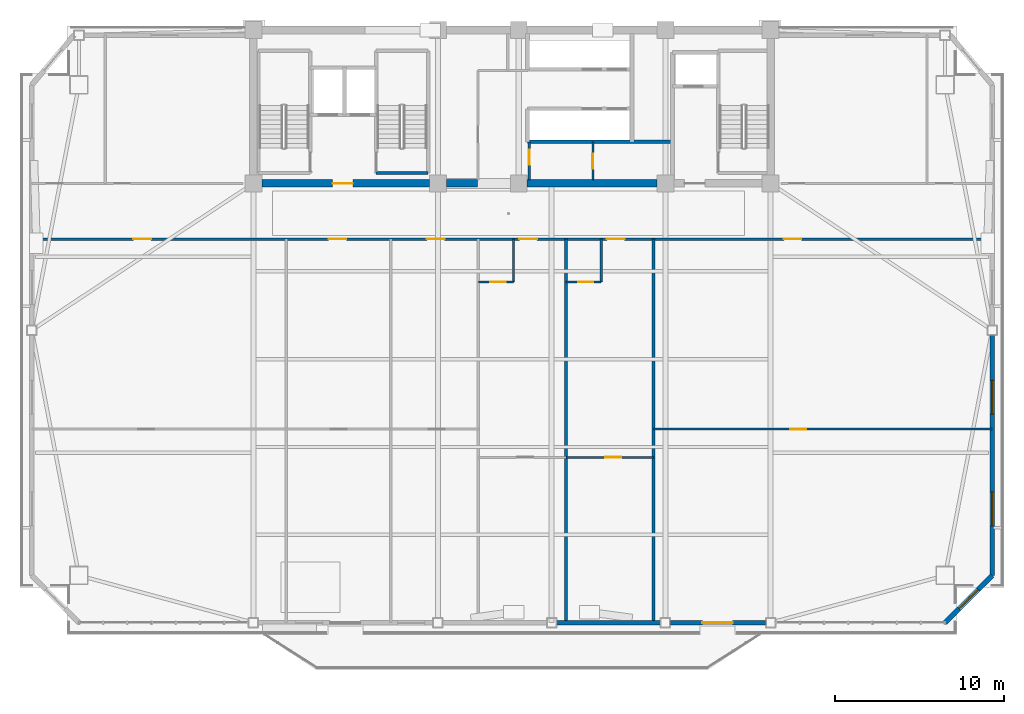
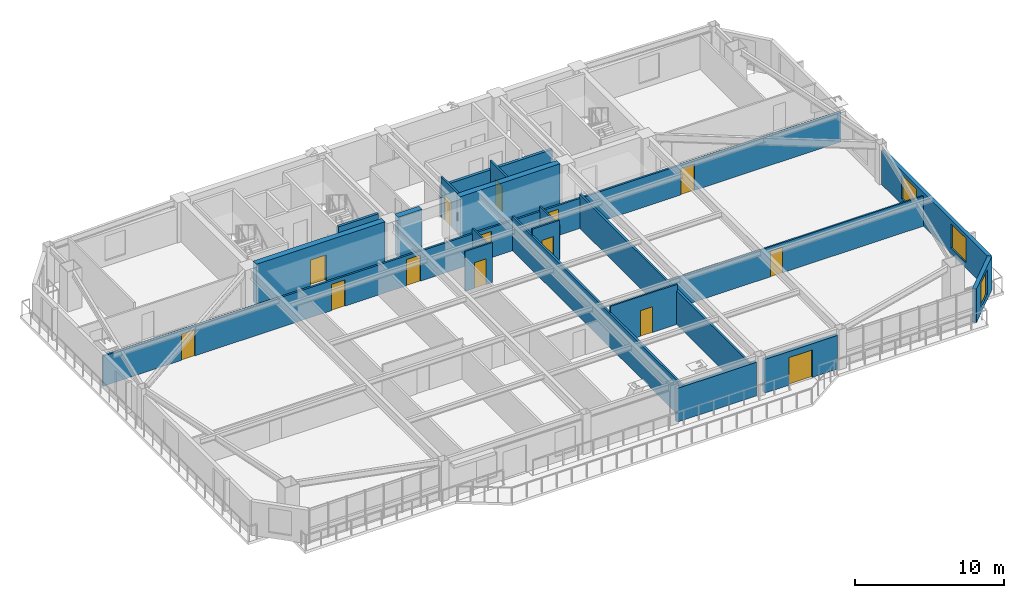
# One storey, part 9 of 17: 20 walls, 14 doors, 3 windows, 17 openings.
"""IFC4 building model written with IfcOpenShell, lengths in metres."""

from ifc_helpers import new_model, si_unit, direction, frame, frame_2d, origin, place, context, subcontext, project, spatial, rectangle, extrude, source, transform, mapped, material, layer, layer_set, type_object, element, fill, save


model = new_model("IFC4")

# Units and contexts
model_context = context("Model", 3, precision=1e-05, world=origin(), true_north=direction((0.0, 1.0)))
body_context = subcontext(model_context, "Body", "Model", "MODEL_VIEW")
ifc_project = project(units=[si_unit("LENGTHUNIT", "METRE"), si_unit("AREAUNIT", "SQUARE_METRE"), si_unit("VOLUMEUNIT", "CUBIC_METRE"), si_unit("PLANEANGLEUNIT", "RADIAN"), si_unit("MASSUNIT", "GRAM", prefix="KILO")], contexts=[model_context])

# Site, building, storey
site_placement = place(None, origin())
site = spatial("IfcSite", under=ifc_project, at=site_placement, CompositionType="ELEMENT")
building_placement = place(site_placement, origin())
building = spatial("IfcBuilding", under=site, at=building_placement, Name="Giltprow Tower", CompositionType="ELEMENT")
storey_placement = place(building_placement, frame((0.0, 0.0, 206.199951171875)))
storey = spatial("IfcBuildingStorey", under=building, at=storey_placement, Name="L52", CompositionType="ELEMENT", Elevation=206.199951171875)

# Wall, opening, window
ifc_material_1 = material(Name="Precast concrete C40", Category="concrete")
ifc_layer_1 = layer(ifc_material_1, 0.300048828125, Name="Precast concrete C40")
ifc_layer_set_1 = layer_set([ifc_layer_1], Name="Precast concrete C40")
wall_type_1 = type_object("IfcWallType", Name="EW-NOTCH-CHAMFER-300", PredefinedType="SOLIDWALL", material=ifc_layer_set_1)
wall_1_placement = place(storey_placement, frame((60.89794921875, 11.385986328125, 0.0), z_axis=(0.0, 0.0, 1.0), x_axis=(0.707106781187, 0.707106781187, 0.0)))
wall_1 = element("IfcWall", 1, at=wall_1_placement, inside=storey, type_object=wall_type_1, Name="L52 Corner Notch Wall SE", PredefinedType="SOLIDWALL", context=body_context, shape_type="SweptSolid", body=[
    extrude(rectangle(XDim=3.9599609375, YDim=0.300048828125, at=frame_2d((1.97998046875, 0.0))), origin(), (0.0, 0.0, 1.0), 2.75),
])
opening_1_placement = place(wall_1_placement, frame((1.179931640625, 0.0, 0.449951171875)))
opening_1 = element("IfcOpeningElement", 2, at=opening_1_placement, cuts=wall_1, Name="Opening WN17", PredefinedType="OPENING", context=body_context, shape_type="SweptSolid", body=[
    extrude(rectangle(XDim=1.60009765625, YDim=2.0, at=frame_2d((0.800048828125, 1.0))), frame((0.0, 0.159912109375, 0.0), z_axis=(0.0, -1.0, 0.0), x_axis=(1.0, 0.0, 0.0)), (0.0, 0.0, 1.0), 0.320068359375),
])
ifc_material_2 = material(Name="Insulated glass", Category="glass")
window_type_1 = type_object("IfcWindowType", Name="WN-COR-1600x2000", PartitioningType="SINGLE_PANEL", PredefinedType="WINDOW", material=ifc_material_2)
shared_shape_1 = source(origin(), body_context, "Body", "SweptSolid", [
    extrude(rectangle(XDim=1.60009765625, YDim=2.0, at=frame_2d((0.800048828125, 1.0))), frame((0.0, 0.030029296875, 0.0), z_axis=(0.0, -1.0, 0.0), x_axis=(1.0, 0.0, 0.0)), (0.0, 0.0, 1.0), 0.06005859375),
])
window_1_placement = place(opening_1_placement, origin())
window_1 = element("IfcWindow", 3, at=window_1_placement, inside=storey, type_object=window_type_1, Name="L52 Corner Notch Window SE", OverallHeight=2.0, OverallWidth=1.60009765625, PartitioningType="SINGLE_PANEL", PredefinedType="WINDOW", context=body_context, shape_type="MappedRepresentation", body=[
    mapped(shared_shape_1, transform((0.0, 0.0, 0.0), x_axis=(1.0, 0.0, 0.0), y_axis=(0.0, 1.0, 0.0), z_axis=(0.0, 0.0, 1.0), scale=1.0)),
])
fill(opening_1, window_1)

# Wall
ifc_layer_2 = layer(ifc_material_1, 0.280029296875, Name="Precast concrete C40")
ifc_layer_set_2 = layer_set([ifc_layer_2], Name="Precast concrete C40")
wall_type_2 = type_object("IfcWallType", Name="EW-TOW-BRONZE-280", PredefinedType="SOLIDWALL", material=ifc_layer_set_2)
wall_2_placement = place(storey_placement, frame((37.85009765625, 11.385986328125, 0.0), z_axis=(0.0, 0.0, 1.0), x_axis=(1.0, 0.0, 0.0)))
element("IfcWall", 4, at=wall_2_placement, inside=storey, type_object=wall_type_2, Name="L52 South Expressed Frame Wall 4", PredefinedType="SOLIDWALL", context=body_context, shape_type="SweptSolid", body=[
    extrude(rectangle(XDim=6.14990234375, YDim=0.280029296875, at=frame_2d((3.074951171875, 0.0))), origin(), (0.0, 0.0, 1.0), 2.75),
])

# Wall, opening, door
wall_3_placement = place(storey_placement, frame((44.60009765625, 11.385986328125, 0.0), z_axis=(0.0, 0.0, 1.0), x_axis=(1.0, 0.0, 0.0)))
wall_3 = element("IfcWall", 5, at=wall_3_placement, inside=storey, type_object=wall_type_2, Name="L52 South Expressed Frame Wall 5", PredefinedType="SOLIDWALL", context=body_context, shape_type="SweptSolid", body=[
    extrude(rectangle(XDim=5.64990234375, YDim=0.280029296875, at=frame_2d((2.824951171875, 0.0))), origin(), (0.0, 0.0, 1.0), 2.75),
])
opening_2_placement = place(wall_3_placement, frame((1.89990234375, 0.0, 0.0)))
opening_2 = element("IfcOpeningElement", 6, at=opening_2_placement, cuts=wall_3, Name="Opening ED25", PredefinedType="OPENING", context=body_context, shape_type="SweptSolid", body=[
    extrude(rectangle(XDim=1.800048828125, YDim=2.25, at=frame_2d((0.89990234375, 1.125))), frame((0.0, 0.14990234375, 0.0), z_axis=(0.0, -1.0, 0.0), x_axis=(1.0, 0.0, 0.0)), (0.0, 0.0, 1.0), 0.300048828125),
])
ifc_material_3 = material(Name="Anodized bronze and glass", Category="glass")
door_type_1 = type_object("IfcDoorType", Name="DR-BALC-SLIDE-1800", OperationType="SLIDING_TO_LEFT", PredefinedType="DOOR", material=ifc_material_3)
shared_shape_2 = source(origin(), body_context, "Body", "SweptSolid", [
    extrude(rectangle(XDim=1.800048828125, YDim=2.25, at=frame_2d((0.89990234375, 1.125))), frame((0.0, 0.02490234375, 0.0), z_axis=(0.0, -1.0, 0.0), x_axis=(1.0, 0.0, 0.0)), (0.0, 0.0, 1.0), 0.050048828125),
])
door_1_placement = place(opening_2_placement, origin())
door_1 = element("IfcDoor", 7, at=door_1_placement, inside=storey, type_object=door_type_1, Name="L52 Waterfront Balcony Sliding Door 2", OperationType="SLIDING_TO_LEFT", OverallHeight=2.25, OverallWidth=1.800048828125, PredefinedType="DOOR", context=body_context, shape_type="MappedRepresentation", body=[
    mapped(shared_shape_2, transform((0.0, 0.0, 0.0), x_axis=(1.0, 0.0, 0.0), y_axis=(0.0, 1.0, 0.0), z_axis=(0.0, 0.0, 1.0), scale=1.0)),
])
fill(opening_2, door_1)

# Wall, openings, windows
wall_4_placement = place(storey_placement, frame((63.697998046875, 14.18603515625, 0.0), z_axis=(0.0, 0.0, 1.0), x_axis=(0.0, 1.0, 0.0)))
wall_4 = element("IfcWall", 8, at=wall_4_placement, inside=storey, type_object=wall_type_2, Name="L52 E Wing Masonry Wall 1", PredefinedType="SOLIDWALL", context=body_context, shape_type="SweptSolid", body=[
    extrude(rectangle(XDim=14.257080078125, YDim=0.280029296875, at=frame_2d((7.12841796875, 0.0))), origin(), (0.0, 0.0, 1.0), 2.75),
])
opening_3_placement = place(wall_4_placement, frame((2.947021484375, 0.0, 0.449951171875)))
opening_3 = element("IfcOpeningElement", 9, at=opening_3_placement, cuts=wall_4, Name="Opening WN21", PredefinedType="OPENING", context=body_context, shape_type="SweptSolid", body=[
    extrude(rectangle(XDim=2.0, YDim=2.0, at=frame_2d((1.0, 1.0))), frame((0.0, 0.14990234375, 0.0), z_axis=(0.0, -1.0, 0.0), x_axis=(1.0, 0.0, 0.0)), (0.0, 0.0, 1.0), 0.300048828125),
])
opening_4_placement = place(wall_4_placement, frame((9.574951171875, 0.0, 0.449951171875)))
opening_4 = element("IfcOpeningElement", 10, at=opening_4_placement, cuts=wall_4, Name="Opening WN21", PredefinedType="OPENING", context=body_context, shape_type="SweptSolid", body=[
    extrude(rectangle(XDim=2.0, YDim=2.0, at=frame_2d((1.0, 1.0))), frame((0.0, 0.14990234375, 0.0), z_axis=(0.0, -1.0, 0.0), x_axis=(1.0, 0.0, 0.0)), (0.0, 0.0, 1.0), 0.300048828125),
])
window_type_2 = type_object("IfcWindowType", Name="WN-HTL-2000x2000", PartitioningType="DOUBLE_PANEL_VERTICAL", PredefinedType="WINDOW", material=ifc_material_2)
shared_shape_3 = source(origin(), body_context, "Body", "SweptSolid", [
    extrude(rectangle(XDim=2.0, YDim=2.0, at=frame_2d((1.0, 1.0))), frame((0.0, 0.030029296875, 0.0), z_axis=(0.0, -1.0, 0.0), x_axis=(1.0, 0.0, 0.0)), (0.0, 0.0, 1.0), 0.06005859375),
])
window_2_placement = place(opening_3_placement, origin())
window_2 = element("IfcWindow", 11, at=window_2_placement, inside=storey, type_object=window_type_2, Name="L52 E Wing Window 1-1A", OverallHeight=2.0, OverallWidth=2.0, PartitioningType="SINGLE_PANEL", PredefinedType="WINDOW", context=body_context, shape_type="MappedRepresentation", body=[
    mapped(shared_shape_3, transform((0.0, 0.0, 0.0), x_axis=(1.0, 0.0, 0.0), y_axis=(0.0, 1.0, 0.0), z_axis=(0.0, 0.0, 1.0), scale=1.0)),
])
fill(opening_3, window_2)
window_3_placement = place(opening_4_placement, origin())
window_3 = element("IfcWindow", 12, at=window_3_placement, inside=storey, type_object=window_type_2, Name="L52 E Wing Window 1-1B", OverallHeight=2.0, OverallWidth=2.0, PartitioningType="SINGLE_PANEL", PredefinedType="WINDOW", context=body_context, shape_type="MappedRepresentation", body=[
    mapped(shared_shape_3, transform((0.0, 0.0, 0.0), x_axis=(1.0, 0.0, 0.0), y_axis=(0.0, 1.0, 0.0), z_axis=(0.0, 0.0, 1.0), scale=1.0)),
])
fill(opening_4, window_3)

# Wall, openings, doors
ifc_material_4 = material(Name="Gypsum stud partition", Category="gypsum")
ifc_layer_3 = layer(ifc_material_4, 0.14990234375, Name="Gypsum stud partition")
ifc_layer_set_3 = layer_set([ifc_layer_3], Name="Gypsum stud partition")
wall_type_3 = type_object("IfcWallType", Name="IW-CORR-150", PredefinedType="PARTITIONING", material=ifc_layer_set_3)
wall_5_placement = place(storey_placement, frame((6.702880859375, 34.14990234375, 0.0), z_axis=(0.0, 0.0, 1.0), x_axis=(1.0, 0.0, 0.0)))
wall_5 = element("IfcWall", 13, at=wall_5_placement, inside=storey, type_object=wall_type_3, Name="L52 Hotel Guestroom Corridor Wall", PredefinedType="PARTITIONING", context=body_context, shape_type="SweptSolid", body=[
    extrude(rectangle(XDim=56.9951171875, YDim=0.14990234375, at=frame_2d((28.49755859375, 0.0))), origin(), (0.0, 0.0, 1.0), 2.455078125),
])
opening_5_placement = place(wall_5_placement, frame((6.030029296875, 0.0, 0.0)))
opening_5 = element("IfcOpeningElement", 14, at=opening_5_placement, cuts=wall_5, Name="Opening ID31", PredefinedType="OPENING", context=body_context, shape_type="SweptSolid", body=[
    extrude(rectangle(XDim=1.050048828125, YDim=2.14990234375, at=frame_2d((0.52490234375, 1.074951171875))), frame((0.0, 0.0849609375, 0.0), z_axis=(0.0, -1.0, 0.0), x_axis=(1.0, 0.0, 0.0)), (0.0, 0.0, 1.0), 0.169921875),
])
opening_6_placement = place(wall_5_placement, frame((17.6220703125, 0.0, 0.0)))
opening_6 = element("IfcOpeningElement", 15, at=opening_6_placement, cuts=wall_5, Name="Opening ID31", PredefinedType="OPENING", context=body_context, shape_type="SweptSolid", body=[
    extrude(rectangle(XDim=1.050048828125, YDim=2.14990234375, at=frame_2d((0.52490234375, 1.074951171875))), frame((0.0, 0.0849609375, 0.0), z_axis=(0.0, -1.0, 0.0), x_axis=(1.0, 0.0, 0.0)), (0.0, 0.0, 1.0), 0.169921875),
])
opening_7_placement = place(wall_5_placement, frame((23.44189453125, 0.0, 0.0)))
opening_7 = element("IfcOpeningElement", 16, at=opening_7_placement, cuts=wall_5, Name="Opening ID31", PredefinedType="OPENING", context=body_context, shape_type="SweptSolid", body=[
    extrude(rectangle(XDim=1.050048828125, YDim=2.14990234375, at=frame_2d((0.52490234375, 1.074951171875))), frame((0.0, 0.0849609375, 0.0), z_axis=(0.0, -1.0, 0.0), x_axis=(1.0, 0.0, 0.0)), (0.0, 0.0, 1.0), 0.169921875),
])
opening_8_placement = place(wall_5_placement, frame((28.93310546875, 0.0, 0.0)))
opening_8 = element("IfcOpeningElement", 17, at=opening_8_placement, cuts=wall_5, Name="Opening ID31", PredefinedType="OPENING", context=body_context, shape_type="SweptSolid", body=[
    extrude(rectangle(XDim=1.050048828125, YDim=2.14990234375, at=frame_2d((0.52490234375, 1.074951171875))), frame((0.0, 0.0849609375, 0.0), z_axis=(0.0, -1.0, 0.0), x_axis=(1.0, 0.0, 0.0)), (0.0, 0.0, 1.0), 0.169921875),
])
opening_9_placement = place(wall_5_placement, frame((34.133056640625, 0.0, 0.0)))
opening_9 = element("IfcOpeningElement", 18, at=opening_9_placement, cuts=wall_5, Name="Opening ID31", PredefinedType="OPENING", context=body_context, shape_type="SweptSolid", body=[
    extrude(rectangle(XDim=1.050048828125, YDim=2.14990234375, at=frame_2d((0.52490234375, 1.074951171875))), frame((0.0, 0.0849609375, 0.0), z_axis=(0.0, -1.0, 0.0), x_axis=(1.0, 0.0, 0.0)), (0.0, 0.0, 1.0), 0.169921875),
])
opening_10_placement = place(wall_5_placement, frame((44.626953125, 0.0, 0.0)))
opening_10 = element("IfcOpeningElement", 19, at=opening_10_placement, cuts=wall_5, Name="Opening ID31", PredefinedType="OPENING", context=body_context, shape_type="SweptSolid", body=[
    extrude(rectangle(XDim=1.050048828125, YDim=2.14990234375, at=frame_2d((0.52490234375, 1.074951171875))), frame((0.0, 0.0849609375, 0.0), z_axis=(0.0, -1.0, 0.0), x_axis=(1.0, 0.0, 0.0)), (0.0, 0.0, 1.0), 0.169921875),
])
ifc_material_5 = material(Name="Engineered timber", Category="wood")
door_type_2 = type_object("IfcDoorType", Name="DR-SUITE-1050", OperationType="SINGLE_SWING_LEFT", PredefinedType="DOOR", material=ifc_material_5)
shared_shape_4 = source(origin(), body_context, "Body", "SweptSolid", [
    extrude(rectangle(XDim=1.050048828125, YDim=2.14990234375, at=frame_2d((0.52490234375, 1.074951171875))), frame((0.0, 0.02490234375, 0.0), z_axis=(0.0, -1.0, 0.0), x_axis=(1.0, 0.0, 0.0)), (0.0, 0.0, 1.0), 0.050048828125),
])
door_2_placement = place(opening_5_placement, origin())
door_2 = element("IfcDoor", 20, at=door_2_placement, inside=storey, type_object=door_type_2, Name="L52 Suite Reception Foyer Door", OperationType="SINGLE_SWING_LEFT", OverallHeight=2.14990234375, OverallWidth=1.050048828125, PredefinedType="DOOR", context=body_context, shape_type="MappedRepresentation", body=[
    mapped(shared_shape_4, transform((0.0, 0.0, 0.0), x_axis=(1.0, 0.0, 0.0), y_axis=(0.0, 1.0, 0.0), z_axis=(0.0, 0.0, 1.0), scale=1.0)),
])
fill(opening_5, door_2)
door_3_placement = place(opening_6_placement, origin())
door_3 = element("IfcDoor", 21, at=door_3_placement, inside=storey, type_object=door_type_2, Name="L52 Suite Reception Foyer Door", OperationType="SINGLE_SWING_LEFT", OverallHeight=2.14990234375, OverallWidth=1.050048828125, PredefinedType="DOOR", context=body_context, shape_type="MappedRepresentation", body=[
    mapped(shared_shape_4, transform((0.0, 0.0, 0.0), x_axis=(1.0, 0.0, 0.0), y_axis=(0.0, 1.0, 0.0), z_axis=(0.0, 0.0, 1.0), scale=1.0)),
])
fill(opening_6, door_3)
door_4_placement = place(opening_7_placement, origin())
door_4 = element("IfcDoor", 22, at=door_4_placement, inside=storey, type_object=door_type_2, Name="L52 Suite Reception Foyer Door", OperationType="SINGLE_SWING_LEFT", OverallHeight=2.14990234375, OverallWidth=1.050048828125, PredefinedType="DOOR", context=body_context, shape_type="MappedRepresentation", body=[
    mapped(shared_shape_4, transform((0.0, 0.0, 0.0), x_axis=(1.0, 0.0, 0.0), y_axis=(0.0, 1.0, 0.0), z_axis=(0.0, 0.0, 1.0), scale=1.0)),
])
fill(opening_7, door_4)
door_5_placement = place(opening_8_placement, origin())
door_5 = element("IfcDoor", 23, at=door_5_placement, inside=storey, type_object=door_type_2, Name="L52 Hotel Room 4 Entry Door", OperationType="SINGLE_SWING_LEFT", OverallHeight=2.14990234375, OverallWidth=1.050048828125, PredefinedType="DOOR", context=body_context, shape_type="MappedRepresentation", body=[
    mapped(shared_shape_4, transform((0.0, 0.0, 0.0), x_axis=(1.0, 0.0, 0.0), y_axis=(0.0, 1.0, 0.0), z_axis=(0.0, 0.0, 1.0), scale=1.0)),
])
fill(opening_8, door_5)
door_6_placement = place(opening_9_placement, origin())
door_6 = element("IfcDoor", 24, at=door_6_placement, inside=storey, type_object=door_type_2, Name="L52 Hotel Room 5 Entry Door", OperationType="SINGLE_SWING_RIGHT", OverallHeight=2.14990234375, OverallWidth=1.050048828125, PredefinedType="DOOR", context=body_context, shape_type="MappedRepresentation", body=[
    mapped(shared_shape_4, transform((0.0, 0.0, 0.0), x_axis=(1.0, 0.0, 0.0), y_axis=(0.0, 1.0, 0.0), z_axis=(0.0, 0.0, 1.0), scale=1.0)),
])
fill(opening_9, door_6)
door_7_placement = place(opening_10_placement, origin())
door_7 = element("IfcDoor", 25, at=door_7_placement, inside=storey, type_object=door_type_2, Name="L52 Suite Reception Foyer Door", OperationType="SINGLE_SWING_LEFT", OverallHeight=2.14990234375, OverallWidth=1.050048828125, PredefinedType="DOOR", context=body_context, shape_type="MappedRepresentation", body=[
    mapped(shared_shape_4, transform((0.0, 0.0, 0.0), x_axis=(1.0, 0.0, 0.0), y_axis=(0.0, 1.0, 0.0), z_axis=(0.0, 0.0, 1.0), scale=1.0)),
])
fill(opening_10, door_7)

# Walls
ifc_layer_4 = layer(ifc_material_4, 0.159912109375, Name="Gypsum stud partition")
ifc_layer_set_4 = layer_set([ifc_layer_4], Name="Gypsum stud partition")
wall_type_4 = type_object("IfcWallType", Name="IW-DEMISE-160", PredefinedType="PARTITIONING", material=ifc_layer_set_4)
for number, where, z_axis, x_axis, name in (
    (26, (38.39990234375, 11.385986328125, 0.0), (0.0, 0.0, 1.0), (0.0, 1.0, 0.0), "L52 Hotel Demising Wall 4"),
    (27, (43.60009765625, 11.385986328125, 0.0), (0.0, 0.0, 1.0), (0.0, 1.0, 0.0), "L52 Hotel Demising Wall 5"),
):
    element("IfcWall", number, at=place(storey_placement, frame(where, z_axis=z_axis, x_axis=x_axis)), inside=storey, type_object=wall_type_4, Name=name, PredefinedType="PARTITIONING", context=body_context, shape_type="SweptSolid", body=[
        extrude(rectangle(XDim=22.763916015625, YDim=0.159912109375, at=frame_2d((11.3818359375, 0.0))), origin(), (0.0, 0.0, 1.0), 2.755126953125),
    ])

# Wall, opening, door
ifc_layer_5 = layer(ifc_material_4, 0.1201171875, Name="Gypsum stud partition")
ifc_layer_set_5 = layer_set([ifc_layer_5], Name="Gypsum stud partition")
wall_type_5 = type_object("IfcWallType", Name="IW-ROOM-120", PredefinedType="PARTITIONING", material=ifc_layer_set_5)
wall_6_placement = place(storey_placement, frame((38.39990234375, 21.193115234375, 0.0), z_axis=(0.0, 0.0, 1.0), x_axis=(1.0, 0.0, 0.0)))
wall_6 = element("IfcWall", 28, at=wall_6_placement, inside=storey, type_object=wall_type_5, Name="L52 Suite Parlour Divider 5", PredefinedType="PARTITIONING", context=body_context, shape_type="SweptSolid", body=[
    extrude(rectangle(XDim=5.2001953125, YDim=0.1201171875, at=frame_2d((2.60009765625, 0.0))), origin(), (0.0, 0.0, 1.0), 3.27001953125),
])
opening_11_placement = place(wall_6_placement, frame((2.324951171875, 0.0, 0.0)))
opening_11 = element("IfcOpeningElement", 29, at=opening_11_placement, cuts=wall_6, Name="Opening ID11", PredefinedType="OPENING", context=body_context, shape_type="SweptSolid", body=[
    extrude(rectangle(XDim=0.949951171875, YDim=2.10009765625, at=frame_2d((0.47509765625, 1.050048828125))), frame((0.0, 0.070068359375, 0.0), z_axis=(0.0, -1.0, 0.0), x_axis=(1.0, 0.0, 0.0)), (0.0, 0.0, 1.0), 0.14013671875),
])
door_type_3 = type_object("IfcDoorType", Name="DR-ROOM-950", OperationType="SINGLE_SWING_RIGHT", PredefinedType="DOOR", material=ifc_material_5)
shared_shape_5 = source(origin(), body_context, "Body", "SweptSolid", [
    extrude(rectangle(XDim=0.949951171875, YDim=2.10009765625, at=frame_2d((0.47509765625, 1.050048828125))), frame((0.0, 0.02490234375, 0.0), z_axis=(0.0, -1.0, 0.0), x_axis=(1.0, 0.0, 0.0)), (0.0, 0.0, 1.0), 0.050048828125),
])
door_8_placement = place(opening_11_placement, origin())
door_8 = element("IfcDoor", 30, at=door_8_placement, inside=storey, type_object=door_type_3, Name="L52 Harbour Parlour 5 Door", OperationType="SINGLE_SWING_RIGHT", OverallHeight=2.10009765625, OverallWidth=0.949951171875, PredefinedType="DOOR", context=body_context, shape_type="MappedRepresentation", body=[
    mapped(shared_shape_5, transform((0.0, 0.0, 0.0), x_axis=(1.0, 0.0, 0.0), y_axis=(0.0, 1.0, 0.0), z_axis=(0.0, 0.0, 1.0), scale=1.0)),
])
fill(opening_11, door_8)

wall_7_placement = place(storey_placement, frame((43.60009765625, 22.867919921875, 0.0), z_axis=(0.0, 0.0, 1.0), x_axis=(1.0, 0.0, 0.0)))
wall_7 = element("IfcWall", 31, at=wall_7_placement, inside=storey, type_object=wall_type_5, Name="L52 Amenity Mid Wall 6", PredefinedType="PARTITIONING", context=body_context, shape_type="SweptSolid", body=[
    extrude(rectangle(XDim=20.097900390625, YDim=0.1201171875, at=frame_2d((10.048828125, 0.0))), origin(), (0.0, 0.0, 1.0), 2.455078125),
])
opening_12_placement = place(wall_7_placement, frame((8.125, 0.0, 0.0)))
opening_12 = element("IfcOpeningElement", 32, at=opening_12_placement, cuts=wall_7, Name="Opening ID11", PredefinedType="OPENING", context=body_context, shape_type="SweptSolid", body=[
    extrude(rectangle(XDim=0.949951171875, YDim=2.10009765625, at=frame_2d((0.47509765625, 1.050048828125))), frame((0.0, 0.070068359375, 0.0), z_axis=(0.0, -1.0, 0.0), x_axis=(1.0, 0.0, 0.0)), (0.0, 0.0, 1.0), 0.14013671875),
])
door_9_placement = place(opening_12_placement, origin())
door_9 = element("IfcDoor", 33, at=door_9_placement, inside=storey, type_object=door_type_3, Name="L52 Banquet Chair Store 4 Inner Door", OperationType="SINGLE_SWING_RIGHT", OverallHeight=2.10009765625, OverallWidth=0.949951171875, PredefinedType="DOOR", context=body_context, shape_type="MappedRepresentation", body=[
    mapped(shared_shape_5, transform((0.0, 0.0, 0.0), x_axis=(1.0, 0.0, 0.0), y_axis=(0.0, 1.0, 0.0), z_axis=(0.0, 0.0, 1.0), scale=1.0)),
])
fill(opening_12, door_9)

# Walls
ifc_material_6 = material(Name="Concrete C40", Category="concrete")
ifc_layer_6 = layer(ifc_material_6, 0.219970703125, Name="Concrete C40")
ifc_layer_set_6 = layer_set([ifc_layer_6], Name="Concrete C40")
wall_type_6 = type_object("IfcWallType", Name="IW-SHAFT-220", PredefinedType="SOLIDWALL", material=ifc_layer_set_6)
wall_8_placement = place(storey_placement, frame((36.1201171875, 39.919921875, 0.0), z_axis=(0.0, 0.0, 1.0), x_axis=(1.0, 0.0, 0.0)))
element("IfcWall", 34, at=wall_8_placement, inside=storey, type_object=wall_type_6, Name="L52 Mid-Rise South Lift Back Wall", PredefinedType="SOLIDWALL", context=body_context, shape_type="SweptSolid", body=[
    extrude(rectangle(XDim=8.599853515625, YDim=0.219970703125, at=frame_2d((4.2998046875, 0.0))), origin(), (0.0, 0.0, 1.0), 2.554931640625),
])
ifc_layer_7 = layer(ifc_material_6, 0.199951171875, Name="Concrete C40")
ifc_layer_set_7 = layer_set([ifc_layer_7], Name="Concrete C40")
wall_type_7 = type_object("IfcWallType", Name="IW-STAIR-200", PredefinedType="SOLIDWALL", material=ifc_layer_set_7)
wall_9_placement = place(storey_placement, frame((27.139892578125, 38.070068359375, 0.0), z_axis=(0.0, 0.0, 1.0), x_axis=(1.0, 0.0, 0.0)))
element("IfcWall", 35, at=wall_9_placement, inside=storey, type_object=wall_type_7, Name="L52 Stair ST-2 South Bearing Wall", PredefinedType="SOLIDWALL", context=body_context, shape_type="SweptSolid", body=[
    extrude(rectangle(XDim=3.080078125, YDim=0.199951171875, at=frame_2d((1.5400390625, 0.0))), origin(), (0.0, 0.0, 1.0), 3.5),
])

# Wall, opening, door
ifc_material_7 = material(Name="Concrete C30", Category="concrete")
ifc_layer_8 = layer(ifc_material_7, 0.1298828125, Name="Concrete C30")
ifc_layer_set_8 = layer_set([ifc_layer_8], Name="Concrete C30")
wall_type_8 = type_object("IfcWallType", Name="IW-WET-130", PredefinedType="PARTITIONING", material=ifc_layer_set_8)
wall_10_placement = place(storey_placement, frame((36.219970703125, 37.655029296875, 0.0), z_axis=(0.0, 0.0, 1.0), x_axis=(0.0, 1.0, 0.0)))
wall_10 = element("IfcWall", 36, at=wall_10_placement, inside=storey, type_object=wall_type_8, Name="L52 Core Valet West Wall", PredefinedType="PARTITIONING", context=body_context, shape_type="SweptSolid", body=[
    extrude(rectangle(XDim=2.264892578125, YDim=0.1298828125, at=frame_2d((1.13232421875, 0.0))), origin(), (0.0, 0.0, 1.0), 3.27001953125),
])
opening_13_placement = place(wall_10_placement, frame((0.905029296875, 0.0, 0.0)))
opening_13 = element("IfcOpeningElement", 37, at=opening_13_placement, cuts=wall_10, Name="Opening ID35", PredefinedType="OPENING", context=body_context, shape_type="SweptSolid", body=[
    extrude(rectangle(XDim=0.89990234375, YDim=2.10009765625, at=frame_2d((0.449951171875, 1.050048828125))), frame((0.0, 0.074951171875, 0.0), z_axis=(0.0, -1.0, 0.0), x_axis=(1.0, 0.0, 0.0)), (0.0, 0.0, 1.0), 0.14990234375),
])
ifc_material_8 = material(Name="Steel fire leaf", Category="steel")
door_type_4 = type_object("IfcDoorType", Name="DR-SHAFT-900", OperationType="SINGLE_SWING_LEFT", PredefinedType="DOOR", material=ifc_material_8)
shared_shape_6 = source(origin(), body_context, "Body", "SweptSolid", [
    extrude(rectangle(XDim=0.89990234375, YDim=2.10009765625, at=frame_2d((0.449951171875, 1.050048828125))), frame((0.0, 0.02490234375, 0.0), z_axis=(0.0, -1.0, 0.0), x_axis=(1.0, 0.0, 0.0)), (0.0, 0.0, 1.0), 0.050048828125),
])
door_10_placement = place(opening_13_placement, origin())
door_10 = element("IfcDoor", 38, at=door_10_placement, inside=storey, type_object=door_type_4, Name="L52 Core Staff WC Door", OperationType="SINGLE_SWING_RIGHT", OverallHeight=2.10009765625, OverallWidth=0.89990234375, PredefinedType="DOOR", context=body_context, shape_type="MappedRepresentation", body=[
    mapped(shared_shape_6, transform((0.0, 0.0, 0.0), x_axis=(1.0, 0.0, 0.0), y_axis=(0.0, 1.0, 0.0), z_axis=(0.0, 0.0, 1.0), scale=1.0)),
])
fill(opening_13, door_10)

wall_11_placement = place(storey_placement, frame((40.0, 37.655029296875, 0.0), z_axis=(0.0, 0.0, 1.0), x_axis=(0.0, 1.0, 0.0)))
wall_11 = element("IfcWall", 39, at=wall_11_placement, inside=storey, type_object=wall_type_8, Name="L52 Core Valet Split", PredefinedType="PARTITIONING", context=body_context, shape_type="SweptSolid", body=[
    extrude(rectangle(XDim=2.264892578125, YDim=0.1298828125, at=frame_2d((1.13232421875, 0.0))), origin(), (0.0, 0.0, 1.0), 3.27001953125),
])
opening_14_placement = place(wall_11_placement, frame((0.6650390625, 0.0, 0.0)))
opening_14 = element("IfcOpeningElement", 40, at=opening_14_placement, cuts=wall_11, Name="Opening ID35", PredefinedType="OPENING", context=body_context, shape_type="SweptSolid", body=[
    extrude(rectangle(XDim=0.89990234375, YDim=2.10009765625, at=frame_2d((0.449951171875, 1.050048828125))), frame((0.0, 0.074951171875, 0.0), z_axis=(0.0, -1.0, 0.0), x_axis=(1.0, 0.0, 0.0)), (0.0, 0.0, 1.0), 0.14990234375),
])
door_11_placement = place(opening_14_placement, origin())
door_11 = element("IfcDoor", 41, at=door_11_placement, inside=storey, type_object=door_type_4, Name="L52 Core Minibar Pantry Door", OperationType="SINGLE_SWING_RIGHT", OverallHeight=2.10009765625, OverallWidth=0.89990234375, PredefinedType="DOOR", context=body_context, shape_type="MappedRepresentation", body=[
    mapped(shared_shape_6, transform((0.0, 0.0, 0.0), x_axis=(1.0, 0.0, 0.0), y_axis=(0.0, 1.0, 0.0), z_axis=(0.0, 0.0, 1.0), scale=1.0)),
])
fill(opening_14, door_11)

wall_12_placement = place(storey_placement, frame((33.199951171875, 31.60009765625, 0.0), z_axis=(0.0, 0.0, 1.0), x_axis=(1.0, 0.0, 0.0)))
wall_12 = element("IfcWall", 42, at=wall_12_placement, inside=storey, type_object=wall_type_8, Name="L52 En-Suite South Wall 4", PredefinedType="PARTITIONING", context=body_context, shape_type="SweptSolid", body=[
    extrude(rectangle(XDim=2.095947265625, YDim=0.1298828125, at=frame_2d((1.0478515625, 0.0))), origin(), (0.0, 0.0, 1.0), 3.27001953125),
])
opening_15_placement = place(wall_12_placement, frame((0.718017578125, 0.0, 0.0)))
opening_15 = element("IfcOpeningElement", 43, at=opening_15_placement, cuts=wall_12, Name="Opening ID15", PredefinedType="OPENING", context=body_context, shape_type="SweptSolid", body=[
    extrude(rectangle(XDim=0.89990234375, YDim=2.10009765625, at=frame_2d((0.449951171875, 1.050048828125))), frame((0.0, 0.074951171875, 0.0), z_axis=(0.0, -1.0, 0.0), x_axis=(1.0, 0.0, 0.0)), (0.0, 0.0, 1.0), 0.14990234375),
])
door_type_5 = type_object("IfcDoorType", Name="DR-WC-900", OperationType="SINGLE_SWING_LEFT", PredefinedType="DOOR", material=ifc_material_5)
door_12_placement = place(opening_15_placement, origin())
door_12 = element("IfcDoor", 44, at=door_12_placement, inside=storey, type_object=door_type_5, Name="L52 En-Suite 4 Door", OperationType="SINGLE_SWING_RIGHT", OverallHeight=2.10009765625, OverallWidth=0.89990234375, PredefinedType="DOOR", context=body_context, shape_type="MappedRepresentation", body=[
    mapped(shared_shape_6, transform((0.0, 0.0, 0.0), x_axis=(1.0, 0.0, 0.0), y_axis=(0.0, 1.0, 0.0), z_axis=(0.0, 0.0, 1.0), scale=1.0)),
])
fill(opening_15, door_12)

# Wall
wall_13_placement = place(storey_placement, frame((35.2958984375, 31.60009765625, 0.0), z_axis=(0.0, 0.0, 1.0), x_axis=(0.0, 1.0, 0.0)))
element("IfcWall", 45, at=wall_13_placement, inside=storey, type_object=wall_type_8, Name="L52 En-Suite East Wall 4", PredefinedType="PARTITIONING", context=body_context, shape_type="SweptSolid", body=[
    extrude(rectangle(XDim=2.5498046875, YDim=0.1298828125, at=frame_2d((1.27490234375, 0.0))), origin(), (0.0, 0.0, 1.0), 2.85498046875),
])

# Wall, opening, door
wall_14_placement = place(storey_placement, frame((38.39990234375, 31.60009765625, 0.0), z_axis=(0.0, 0.0, 1.0), x_axis=(1.0, 0.0, 0.0)))
wall_14 = element("IfcWall", 46, at=wall_14_placement, inside=storey, type_object=wall_type_8, Name="L52 En-Suite South Wall 5", PredefinedType="PARTITIONING", context=body_context, shape_type="SweptSolid", body=[
    extrude(rectangle(XDim=2.09619140625, YDim=0.1298828125, at=frame_2d((1.048095703125, 0.0))), origin(), (0.0, 0.0, 1.0), 3.27001953125),
])
opening_16_placement = place(wall_14_placement, frame((0.718017578125, 0.0, 0.0)))
opening_16 = element("IfcOpeningElement", 47, at=opening_16_placement, cuts=wall_14, Name="Opening ID15", PredefinedType="OPENING", context=body_context, shape_type="SweptSolid", body=[
    extrude(rectangle(XDim=0.89990234375, YDim=2.10009765625, at=frame_2d((0.449951171875, 1.050048828125))), frame((0.0, 0.074951171875, 0.0), z_axis=(0.0, -1.0, 0.0), x_axis=(1.0, 0.0, 0.0)), (0.0, 0.0, 1.0), 0.14990234375),
])
door_13_placement = place(opening_16_placement, origin())
door_13 = element("IfcDoor", 48, at=door_13_placement, inside=storey, type_object=door_type_5, Name="L52 En-Suite 5 Door", OperationType="SINGLE_SWING_LEFT", OverallHeight=2.10009765625, OverallWidth=0.89990234375, PredefinedType="DOOR", context=body_context, shape_type="MappedRepresentation", body=[
    mapped(shared_shape_6, transform((0.0, 0.0, 0.0), x_axis=(1.0, 0.0, 0.0), y_axis=(0.0, 1.0, 0.0), z_axis=(0.0, 0.0, 1.0), scale=1.0)),
])
fill(opening_16, door_13)

# Wall
wall_15_placement = place(storey_placement, frame((40.49609375, 31.60009765625, 0.0), z_axis=(0.0, 0.0, 1.0), x_axis=(0.0, 1.0, 0.0)))
element("IfcWall", 49, at=wall_15_placement, inside=storey, type_object=wall_type_8, Name="L52 En-Suite East Wall 5", PredefinedType="PARTITIONING", context=body_context, shape_type="SweptSolid", body=[
    extrude(rectangle(XDim=2.5498046875, YDim=0.1298828125, at=frame_2d((1.27490234375, 0.0))), origin(), (0.0, 0.0, 1.0), 2.85498046875),
])

# Wall, opening, door
ifc_material_9 = material(Name="Concrete C50", Category="concrete")
ifc_layer_9 = layer(ifc_material_9, 0.449951171875, Name="Concrete C50")
ifc_layer_set_9 = layer_set([ifc_layer_9], Name="Concrete C50")
wall_type_9 = type_object("IfcWallType", Name="SW-INT-450-C50", PredefinedType="SHEAR", material=ifc_layer_set_9)
wall_16_placement = place(storey_placement, frame((20.35009765625, 37.449951171875, 0.0), z_axis=(0.0, 0.0, 1.0), x_axis=(1.0, 0.0, 0.0)))
wall_16 = element("IfcWall", 50, at=wall_16_placement, inside=storey, type_object=wall_type_9, Name="L52 South Rear Core Shear Wall West", PredefinedType="SHEAR", context=body_context, shape_type="SweptSolid", body=[
    extrude(rectangle(XDim=9.949951171875, YDim=0.449951171875, at=frame_2d((4.97509765625, 0.0))), origin(), (0.0, 0.0, 1.0), 3.27001953125),
])
opening_17_placement = place(wall_16_placement, frame((4.199951171875, 0.0, 0.0)))
opening_17 = element("IfcOpeningElement", 51, at=opening_17_placement, cuts=wall_16, Name="Opening ID19", PredefinedType="OPENING", context=body_context, shape_type="SweptSolid", body=[
    extrude(rectangle(XDim=1.199951171875, YDim=2.14990234375, at=frame_2d((0.60009765625, 1.074951171875))), frame((0.0, 0.23486328125, 0.0), z_axis=(0.0, -1.0, 0.0), x_axis=(1.0, 0.0, 0.0)), (0.0, 0.0, 1.0), 0.469970703125),
])
door_type_6 = type_object("IfcDoorType", Name="DR-FFLOBBY-1200", OperationType="SINGLE_SWING_RIGHT", PredefinedType="DOOR", material=ifc_material_8)
shared_shape_7 = source(origin(), body_context, "Body", "SweptSolid", [
    extrude(rectangle(XDim=1.199951171875, YDim=2.14990234375, at=frame_2d((0.60009765625, 1.074951171875))), frame((0.0, 0.02490234375, 0.0), z_axis=(0.0, -1.0, 0.0), x_axis=(1.0, 0.0, 0.0)), (0.0, 0.0, 1.0), 0.050048828125),
])
door_14_placement = place(opening_17_placement, origin())
door_14 = element("IfcDoor", 52, at=door_14_placement, inside=storey, type_object=door_type_6, Name="L52 West Firefighting Lobby Entry Door", OperationType="SINGLE_SWING_RIGHT", OverallHeight=2.14990234375, OverallWidth=1.199951171875, PredefinedType="DOOR", context=body_context, shape_type="MappedRepresentation", body=[
    mapped(shared_shape_7, transform((0.0, 0.0, 0.0), x_axis=(1.0, 0.0, 0.0), y_axis=(0.0, 1.0, 0.0), z_axis=(0.0, 0.0, 1.0), scale=1.0)),
])
fill(opening_17, door_14)

# Walls
wall_17_placement = place(storey_placement, frame((31.300048828125, 37.449951171875, 0.0), z_axis=(0.0, 0.0, 1.0), x_axis=(1.0, 0.0, 0.0)))
element("IfcWall", 53, at=wall_17_placement, inside=storey, type_object=wall_type_9, Name="L52 South Rear Core Shear Wall Mid-West", PredefinedType="SHEAR", context=body_context, shape_type="SweptSolid", body=[
    extrude(rectangle(XDim=1.849853515625, YDim=0.449951171875, at=frame_2d((0.9248046875, 0.0))), origin(), (0.0, 0.0, 1.0), 3.27001953125),
])
wall_18_placement = place(storey_placement, frame((36.10009765625, 37.449951171875, 0.0), z_axis=(0.0, 0.0, 1.0), x_axis=(1.0, 0.0, 0.0)))
element("IfcWall", 54, at=wall_18_placement, inside=storey, type_object=wall_type_9, Name="L52 South Rear Core Shear Wall Mid-East", PredefinedType="SHEAR", context=body_context, shape_type="SweptSolid", body=[
    extrude(rectangle(XDim=7.699951171875, YDim=0.449951171875, at=frame_2d((3.85009765625, 0.0))), origin(), (0.0, 0.0, 1.0), 3.27001953125),
])

save(model, "model.ifc")
